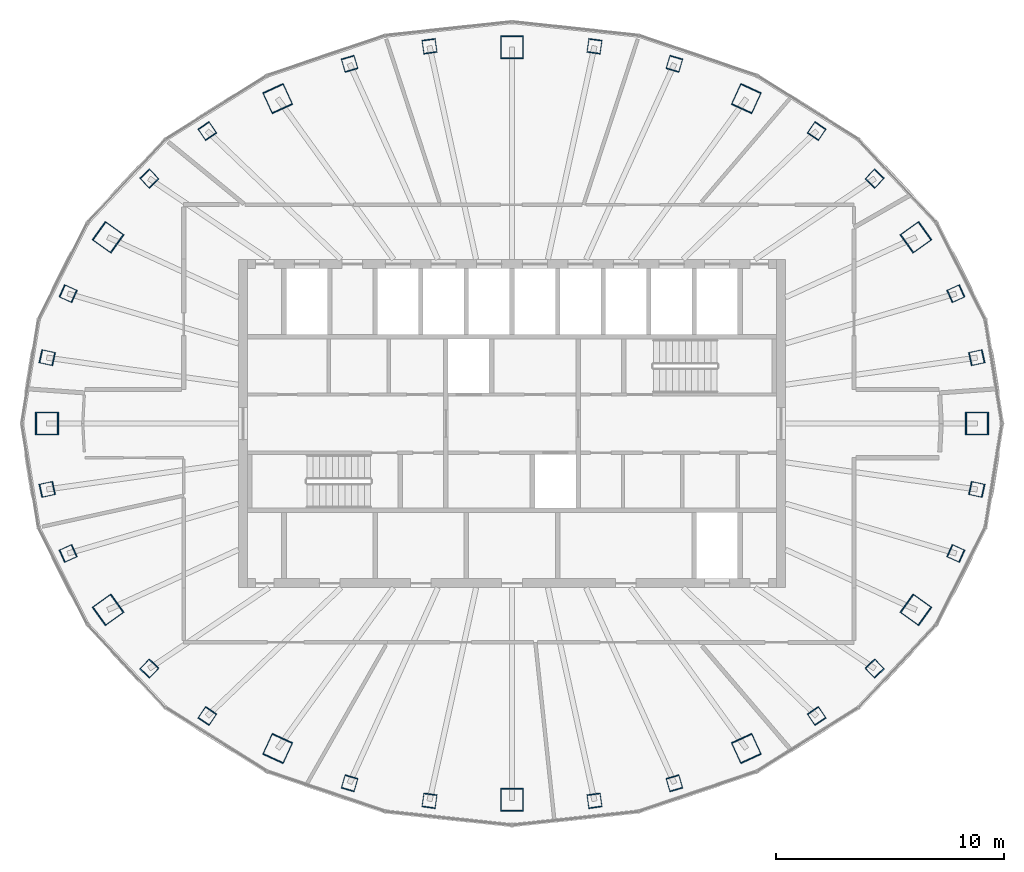
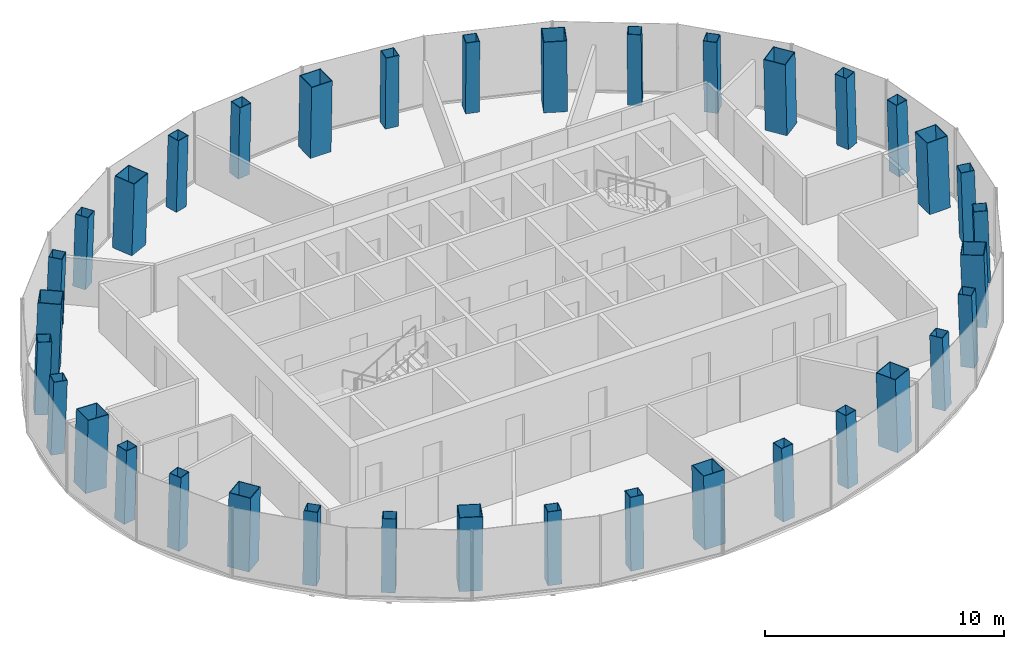
# One storey, part 1 of 12: 36 columns.
"""IFC4 building model written with IfcOpenShell, lengths in metres."""

from ifc_helpers import new_model, si_unit, direction, frame, origin, origin_2d, place, context, subcontext, project, spatial, hollow_rectangle, extrude, material, material_profile, profile_set, type_object, element, save


model = new_model("IFC4")

# Units and contexts
model_context = context("Model", 3, precision=1e-05, world=origin(), true_north=direction((0.0, 1.0)))
body_context = subcontext(model_context, "Body", "Model", "MODEL_VIEW")
ifc_project = project(units=[si_unit("LENGTHUNIT", "METRE"), si_unit("AREAUNIT", "SQUARE_METRE"), si_unit("VOLUMEUNIT", "CUBIC_METRE"), si_unit("PLANEANGLEUNIT", "RADIAN"), si_unit("MASSUNIT", "GRAM", prefix="KILO")], contexts=[model_context])

# Site, building, storey
site_placement = place(None, origin())
site = spatial("IfcSite", under=ifc_project, at=site_placement, CompositionType="ELEMENT")
building_placement = place(site_placement, origin())
building = spatial("IfcBuilding", under=site, at=building_placement, Name="Siaravel Broadcast Tower", CompositionType="ELEMENT")
storey_placement = place(building_placement, frame((0.0, 0.0, 231.89990234375)))
storey = spatial("IfcBuildingStorey", under=building, at=storey_placement, Name="L56", CompositionType="ELEMENT", Elevation=231.89990234375)

# Columns
ifc_material_1 = material(Name="Concrete C70/85", Category="concrete")
ifc_material_profile_1 = material_profile(ifc_material_1, hollow_rectangle(XDim=1.0, YDim=1.0, WallThickness=0.031982421875, at=origin_2d()))
ifc_profile_set_1 = profile_set([ifc_material_profile_1], Name="Concrete C70/85")
column_type_1 = type_object("IfcColumnType", Name="COL-CFT BOX 1000x1000x32", PredefinedType="COLUMN", material=ifc_profile_set_1)
column_1_placement = place(storey_placement, frame((20.416015625, 0.0, 0.0), z_axis=(-0.034553121, 0.0, 0.999402863), x_axis=(0.0, -1.0, 0.0)))
element("IfcColumn", 1, at=column_1_placement, inside=storey, type_object=column_type_1, Name="Megacolumn MC01", PredefinedType="COLUMN", context=body_context, shape_type="SweptSolid", body=[
    extrude(hollow_rectangle(XDim=1.0, YDim=1.0, WallThickness=0.031982421875, at=origin_2d()), origin(), (0.0, 0.0, 1.0), 3.702392578125),
])
column_2_placement = place(storey_placement, frame((17.734375, 8.17822265625, 0.0), z_axis=(-0.030004606, -0.014112057, 0.999450136), x_axis=(0.582174783, -0.813041543, 0.005997535)))
element("IfcColumn", 2, at=column_2_placement, inside=storey, type_object=column_type_1, Name="Megacolumn MC02", PredefinedType="COLUMN", context=body_context, shape_type="SweptSolid", body=[
    extrude(hollow_rectangle(XDim=1.0, YDim=1.0, WallThickness=0.031982421875, at=origin_2d()), origin(), (0.0, 0.0, 1.0), 3.7021484375),
])
column_3_placement = place(storey_placement, frame((10.28759765625, 14.2685546875, 0.0), z_axis=(-0.01727907, -0.024599592, 0.999548045), x_axis=(0.909169242, -0.416390896, 0.005469025)))
element("IfcColumn", 3, at=column_3_placement, inside=storey, type_object=column_type_1, Name="Megacolumn MC03", PredefinedType="COLUMN", context=body_context, shape_type="SweptSolid", body=[
    extrude(hollow_rectangle(XDim=1.0, YDim=1.0, WallThickness=0.031982421875, at=origin_2d()), origin(), (0.0, 0.0, 1.0), 3.701904296875),
])
column_4_placement = place(storey_placement, frame((0.0, 16.524169921875, 0.0), z_axis=(0.0, -0.02836019, 0.999597769), x_axis=(1.0, 0.0, 0.0)))
element("IfcColumn", 4, at=column_4_placement, inside=storey, type_object=column_type_1, Name="Megacolumn MC04", PredefinedType="COLUMN", context=body_context, shape_type="SweptSolid", body=[
    extrude(hollow_rectangle(XDim=1.0, YDim=1.0, WallThickness=0.031982421875, at=origin_2d()), origin(), (0.0, 0.0, 1.0), 3.70166015625),
])
column_5_placement = place(storey_placement, frame((-10.28759765625, 14.2685546875, 0.0), z_axis=(0.01727907, -0.024599592, 0.999548045), x_axis=(0.909169242, 0.416390896, -0.005469025)))
element("IfcColumn", 5, at=column_5_placement, inside=storey, type_object=column_type_1, Name="Megacolumn MC05", PredefinedType="COLUMN", context=body_context, shape_type="SweptSolid", body=[
    extrude(hollow_rectangle(XDim=1.0, YDim=1.0, WallThickness=0.031982421875, at=origin_2d()), origin(), (0.0, 0.0, 1.0), 3.701904296875),
])
column_6_placement = place(storey_placement, frame((-17.734375, 8.17822265625, 0.0), z_axis=(0.030004606, -0.014112057, 0.999450136), x_axis=(0.582174783, 0.813041543, -0.005997535)))
element("IfcColumn", 6, at=column_6_placement, inside=storey, type_object=column_type_1, Name="Megacolumn MC06", PredefinedType="COLUMN", context=body_context, shape_type="SweptSolid", body=[
    extrude(hollow_rectangle(XDim=1.0, YDim=1.0, WallThickness=0.031982421875, at=origin_2d()), origin(), (0.0, 0.0, 1.0), 3.7021484375),
])
column_7_placement = place(storey_placement, frame((-20.416015625, 0.0, 0.0), z_axis=(0.034553121, 0.0, 0.999402863), x_axis=(0.0, 1.0, 0.0)))
element("IfcColumn", 7, at=column_7_placement, inside=storey, type_object=column_type_1, Name="Megacolumn MC07", PredefinedType="COLUMN", context=body_context, shape_type="SweptSolid", body=[
    extrude(hollow_rectangle(XDim=1.0, YDim=1.0, WallThickness=0.031982421875, at=origin_2d()), origin(), (0.0, 0.0, 1.0), 3.702392578125),
])
column_8_placement = place(storey_placement, frame((-17.734375, -8.17822265625, 0.0), z_axis=(0.030004606, 0.014112057, 0.999450136), x_axis=(-0.582174783, 0.813041543, 0.005997535)))
element("IfcColumn", 8, at=column_8_placement, inside=storey, type_object=column_type_1, Name="Megacolumn MC08", PredefinedType="COLUMN", context=body_context, shape_type="SweptSolid", body=[
    extrude(hollow_rectangle(XDim=1.0, YDim=1.0, WallThickness=0.031982421875, at=origin_2d()), origin(), (0.0, 0.0, 1.0), 3.7021484375),
])
column_9_placement = place(storey_placement, frame((-10.28759765625, -14.2685546875, 0.0), z_axis=(0.01727907, 0.024599592, 0.999548045), x_axis=(-0.909169242, 0.416390896, 0.005469025)))
element("IfcColumn", 9, at=column_9_placement, inside=storey, type_object=column_type_1, Name="Megacolumn MC09", PredefinedType="COLUMN", context=body_context, shape_type="SweptSolid", body=[
    extrude(hollow_rectangle(XDim=1.0, YDim=1.0, WallThickness=0.031982421875, at=origin_2d()), origin(), (0.0, 0.0, 1.0), 3.701904296875),
])
column_10_placement = place(storey_placement, frame((0.0, -16.524169921875, 0.0), z_axis=(0.0, 0.02836019, 0.999597769), x_axis=(-1.0, 0.0, 0.0)))
element("IfcColumn", 10, at=column_10_placement, inside=storey, type_object=column_type_1, Name="Megacolumn MC10", PredefinedType="COLUMN", context=body_context, shape_type="SweptSolid", body=[
    extrude(hollow_rectangle(XDim=1.0, YDim=1.0, WallThickness=0.031982421875, at=origin_2d()), origin(), (0.0, 0.0, 1.0), 3.70166015625),
])
column_11_placement = place(storey_placement, frame((10.28759765625, -14.2685546875, 0.0), z_axis=(-0.01727907, 0.024599592, 0.999548045), x_axis=(-0.909169242, -0.416390896, -0.005469025)))
element("IfcColumn", 11, at=column_11_placement, inside=storey, type_object=column_type_1, Name="Megacolumn MC11", PredefinedType="COLUMN", context=body_context, shape_type="SweptSolid", body=[
    extrude(hollow_rectangle(XDim=1.0, YDim=1.0, WallThickness=0.031982421875, at=origin_2d()), origin(), (0.0, 0.0, 1.0), 3.701904296875),
])
column_12_placement = place(storey_placement, frame((17.734375, -8.17822265625, 0.0), z_axis=(-0.030004606, 0.014112057, 0.999450136), x_axis=(-0.582174783, -0.813041543, -0.005997535)))
element("IfcColumn", 12, at=column_12_placement, inside=storey, type_object=column_type_1, Name="Megacolumn MC12", PredefinedType="COLUMN", context=body_context, shape_type="SweptSolid", body=[
    extrude(hollow_rectangle(XDim=1.0, YDim=1.0, WallThickness=0.031982421875, at=origin_2d()), origin(), (0.0, 0.0, 1.0), 3.7021484375),
])
ifc_material_2 = material(Name="Concrete C50/60", Category="concrete")
ifc_material_profile_2 = material_profile(ifc_material_2, hollow_rectangle(XDim=0.60009765625, YDim=0.60009765625, WallThickness=0.02490234375, at=origin_2d()))
ifc_profile_set_2 = profile_set([ifc_material_profile_2], Name="Concrete C50/60")
column_type_2 = type_object("IfcColumnType", Name="COL-CFT BOX 600x600x25", PredefinedType="COLUMN", material=ifc_profile_set_2)
for number, where, z_axis, x_axis, name in (
    (13, (20.406982421875, 2.89208984375, 0.0), (-0.034025792, -0.004945609, 0.999408718), (0.21387473, -0.976858029, 0.002447546), "Perimeter column C01"),
    (14, (19.4873046875, 5.702880859375, 0.0), (-0.032443776, -0.009693567, 0.999426554), (0.411140894, -0.911560677, 0.004505272), "Perimeter column C02"),
):
    element("IfcColumn", number, at=place(storey_placement, frame(where, z_axis=z_axis, x_axis=x_axis)), inside=storey, type_object=column_type_2, Name=name, PredefinedType="COLUMN", context=body_context, shape_type="SweptSolid", body=[
        extrude(hollow_rectangle(XDim=0.60009765625, YDim=0.60009765625, WallThickness=0.02490234375, at=origin_2d()), origin(), (0.0, 0.0, 1.0), 3.702392578125),
    ])
column_13_placement = place(storey_placement, frame((15.92333984375, 10.756103515625, 0.0), z_axis=(-0.026510431, -0.018201192, 0.999482823), x_axis=(0.720757976, -0.693156374, 0.006494692)))
element("IfcColumn", 15, at=column_13_placement, inside=storey, type_object=column_type_2, Name="Perimeter column C03", PredefinedType="COLUMN", context=body_context, shape_type="SweptSolid", body=[
    extrude(hollow_rectangle(XDim=0.60009765625, YDim=0.60009765625, WallThickness=0.02490234375, at=origin_2d()), origin(), (0.0, 0.0, 1.0), 3.7021484375),
])
column_14_placement = place(storey_placement, frame((13.377197265625, 12.841552734375, 0.0), z_axis=(-0.02222469, -0.021697101, 0.999517533), x_axis=(0.82878027, -0.559538918, 0.006282043)))
element("IfcColumn", 16, at=column_14_placement, inside=storey, type_object=column_type_2, Name="Perimeter column C04", PredefinedType="COLUMN", context=body_context, shape_type="SweptSolid", body=[
    extrude(hollow_rectangle(XDim=0.60009765625, YDim=0.60009765625, WallThickness=0.02490234375, at=origin_2d()), origin(), (0.0, 0.0, 1.0), 3.701904296875),
])
for number, where, z_axis, x_axis, name in (
    (17, (7.13037109375, 15.79443359375, 0.0), (-0.011805508, -0.026578882, 0.999577007), (0.96001076, -0.279936016, 0.003894676), "Perimeter column C05"),
    (18, (3.621826171875, 16.564453125, 0.0), (-0.006001778, -0.027898372, 0.999592747), (0.990198664, -0.139651037, 0.002047749), "Perimeter column C06"),
    (19, (-3.621826171875, 16.564453125, 0.0), (0.006001778, -0.027898372, 0.999592747), (0.990198664, 0.139651037, -0.002047749), "Perimeter column C07"),
    (20, (-7.13037109375, 15.79443359375, 0.0), (0.011805508, -0.026578882, 0.999577007), (0.96001076, 0.279936016, -0.003894676), "Perimeter column C08"),
):
    element("IfcColumn", number, at=place(storey_placement, frame(where, z_axis=z_axis, x_axis=x_axis)), inside=storey, type_object=column_type_2, Name=name, PredefinedType="COLUMN", context=body_context, shape_type="SweptSolid", body=[
        extrude(hollow_rectangle(XDim=0.60009765625, YDim=0.60009765625, WallThickness=0.02490234375, at=origin_2d()), origin(), (0.0, 0.0, 1.0), 3.70166015625),
    ])
column_15_placement = place(storey_placement, frame((-13.377197265625, 12.841552734375, 0.0), z_axis=(0.02222469, -0.021697101, 0.999517533), x_axis=(0.82878027, 0.559538918, -0.006282043)))
element("IfcColumn", 21, at=column_15_placement, inside=storey, type_object=column_type_2, Name="Perimeter column C09", PredefinedType="COLUMN", context=body_context, shape_type="SweptSolid", body=[
    extrude(hollow_rectangle(XDim=0.60009765625, YDim=0.60009765625, WallThickness=0.02490234375, at=origin_2d()), origin(), (0.0, 0.0, 1.0), 3.701904296875),
])
column_16_placement = place(storey_placement, frame((-15.92333984375, 10.756103515625, 0.0), z_axis=(0.026510431, -0.018201192, 0.999482823), x_axis=(0.720757976, 0.693156374, -0.006494692)))
element("IfcColumn", 22, at=column_16_placement, inside=storey, type_object=column_type_2, Name="Perimeter column C10", PredefinedType="COLUMN", context=body_context, shape_type="SweptSolid", body=[
    extrude(hollow_rectangle(XDim=0.60009765625, YDim=0.60009765625, WallThickness=0.02490234375, at=origin_2d()), origin(), (0.0, 0.0, 1.0), 3.7021484375),
])
for number, where, z_axis, x_axis, name in (
    (23, (-19.4873046875, 5.702880859375, 0.0), (0.032443776, -0.009693567, 0.999426554), (0.411140894, 0.911560677, -0.004505272), "Perimeter column C11"),
    (24, (-20.406982421875, 2.89208984375, 0.0), (0.034025792, -0.004945609, 0.999408718), (0.21387473, 0.976858029, -0.002447546), "Perimeter column C12"),
    (25, (-20.406982421875, -2.89208984375, 0.0), (0.034025792, 0.004945609, 0.999408718), (-0.21387473, 0.976858029, 0.002447546), "Perimeter column C13"),
    (26, (-19.4873046875, -5.702880859375, 0.0), (0.032443776, 0.009693567, 0.999426554), (-0.411140894, 0.911560677, 0.004505272), "Perimeter column C14"),
):
    element("IfcColumn", number, at=place(storey_placement, frame(where, z_axis=z_axis, x_axis=x_axis)), inside=storey, type_object=column_type_2, Name=name, PredefinedType="COLUMN", context=body_context, shape_type="SweptSolid", body=[
        extrude(hollow_rectangle(XDim=0.60009765625, YDim=0.60009765625, WallThickness=0.02490234375, at=origin_2d()), origin(), (0.0, 0.0, 1.0), 3.702392578125),
    ])
column_17_placement = place(storey_placement, frame((-15.92333984375, -10.756103515625, 0.0), z_axis=(0.026510431, 0.018201192, 0.999482823), x_axis=(-0.720757976, 0.693156374, 0.006494692)))
element("IfcColumn", 27, at=column_17_placement, inside=storey, type_object=column_type_2, Name="Perimeter column C15", PredefinedType="COLUMN", context=body_context, shape_type="SweptSolid", body=[
    extrude(hollow_rectangle(XDim=0.60009765625, YDim=0.60009765625, WallThickness=0.02490234375, at=origin_2d()), origin(), (0.0, 0.0, 1.0), 3.7021484375),
])
column_18_placement = place(storey_placement, frame((-13.377197265625, -12.841552734375, 0.0), z_axis=(0.02222469, 0.021697101, 0.999517533), x_axis=(-0.82878027, 0.559538918, 0.006282043)))
element("IfcColumn", 28, at=column_18_placement, inside=storey, type_object=column_type_2, Name="Perimeter column C16", PredefinedType="COLUMN", context=body_context, shape_type="SweptSolid", body=[
    extrude(hollow_rectangle(XDim=0.60009765625, YDim=0.60009765625, WallThickness=0.02490234375, at=origin_2d()), origin(), (0.0, 0.0, 1.0), 3.701904296875),
])
for number, where, z_axis, x_axis, name in (
    (29, (-7.13037109375, -15.79443359375, 0.0), (0.011805508, 0.026578882, 0.999577007), (-0.96001076, 0.279936016, 0.003894676), "Perimeter column C17"),
    (30, (-3.621826171875, -16.564453125, 0.0), (0.006001778, 0.027898372, 0.999592747), (-0.990198664, 0.139651037, 0.002047749), "Perimeter column C18"),
    (31, (3.621826171875, -16.564453125, 0.0), (-0.006001778, 0.027898372, 0.999592747), (-0.990198664, -0.139651037, -0.002047749), "Perimeter column C19"),
    (32, (7.13037109375, -15.79443359375, 0.0), (-0.011805508, 0.026578882, 0.999577007), (-0.96001076, -0.279936016, -0.003894676), "Perimeter column C20"),
):
    element("IfcColumn", number, at=place(storey_placement, frame(where, z_axis=z_axis, x_axis=x_axis)), inside=storey, type_object=column_type_2, Name=name, PredefinedType="COLUMN", context=body_context, shape_type="SweptSolid", body=[
        extrude(hollow_rectangle(XDim=0.60009765625, YDim=0.60009765625, WallThickness=0.02490234375, at=origin_2d()), origin(), (0.0, 0.0, 1.0), 3.70166015625),
    ])
column_19_placement = place(storey_placement, frame((13.377197265625, -12.841552734375, 0.0), z_axis=(-0.02222469, 0.021697101, 0.999517533), x_axis=(-0.82878027, -0.559538918, -0.006282043)))
element("IfcColumn", 33, at=column_19_placement, inside=storey, type_object=column_type_2, Name="Perimeter column C21", PredefinedType="COLUMN", context=body_context, shape_type="SweptSolid", body=[
    extrude(hollow_rectangle(XDim=0.60009765625, YDim=0.60009765625, WallThickness=0.02490234375, at=origin_2d()), origin(), (0.0, 0.0, 1.0), 3.701904296875),
])
column_20_placement = place(storey_placement, frame((15.92333984375, -10.756103515625, 0.0), z_axis=(-0.026510431, 0.018201192, 0.999482823), x_axis=(-0.720757976, -0.693156374, -0.006494692)))
element("IfcColumn", 34, at=column_20_placement, inside=storey, type_object=column_type_2, Name="Perimeter column C22", PredefinedType="COLUMN", context=body_context, shape_type="SweptSolid", body=[
    extrude(hollow_rectangle(XDim=0.60009765625, YDim=0.60009765625, WallThickness=0.02490234375, at=origin_2d()), origin(), (0.0, 0.0, 1.0), 3.7021484375),
])
for number, where, z_axis, x_axis, name in (
    (35, (19.4873046875, -5.702880859375, 0.0), (-0.032443776, 0.009693567, 0.999426554), (-0.411140894, -0.911560677, -0.004505272), "Perimeter column C23"),
    (36, (20.406982421875, -2.89208984375, 0.0), (-0.034025792, 0.004945609, 0.999408718), (-0.21387473, -0.976858029, -0.002447546), "Perimeter column C24"),
):
    element("IfcColumn", number, at=place(storey_placement, frame(where, z_axis=z_axis, x_axis=x_axis)), inside=storey, type_object=column_type_2, Name=name, PredefinedType="COLUMN", context=body_context, shape_type="SweptSolid", body=[
        extrude(hollow_rectangle(XDim=0.60009765625, YDim=0.60009765625, WallThickness=0.02490234375, at=origin_2d()), origin(), (0.0, 0.0, 1.0), 3.702392578125),
    ])

save(model, "model.ifc")
